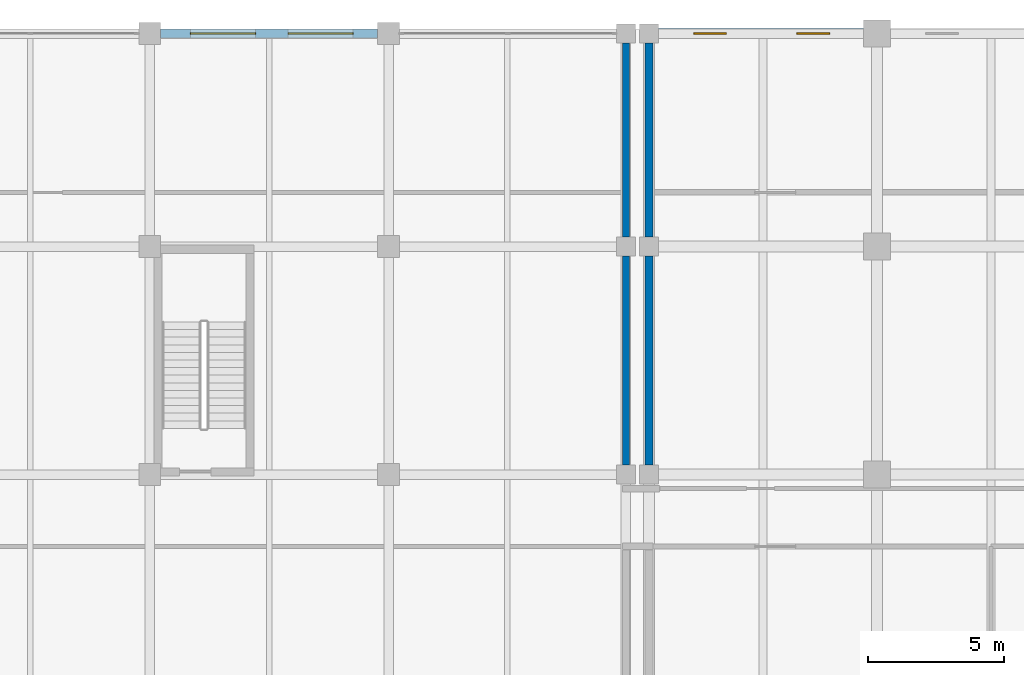
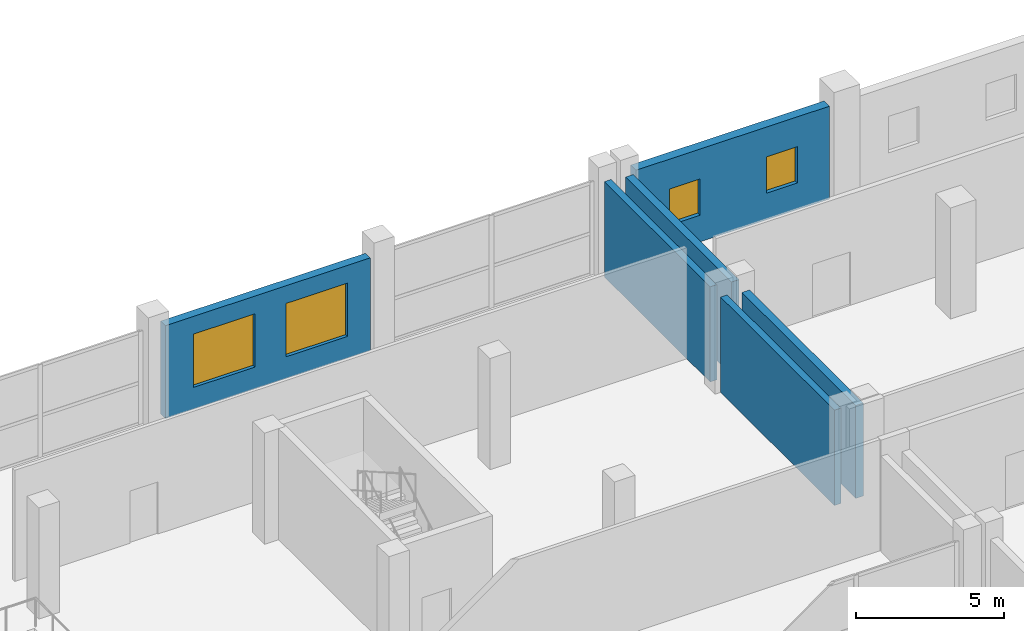
# One storey, part 22 of 31: 6 walls, 4 windows, 4 openings.
"""IFC4 building model written with IfcOpenShell, lengths in metres."""

from ifc_helpers import new_model, si_unit, direction, frame, frame_2d, origin, place, context, subcontext, project, spatial, rectangle, extrude, material, layer, layer_set, type_object, element, fill, save


model = new_model("IFC4")

# Units and contexts
model_context = context("Model", 3, precision=1e-05, world=origin(), true_north=direction((0.0, 1.0)))
body_context = subcontext(model_context, "Body", "Model", "MODEL_VIEW")
ifc_project = project(units=[si_unit("LENGTHUNIT", "METRE"), si_unit("AREAUNIT", "SQUARE_METRE"), si_unit("VOLUMEUNIT", "CUBIC_METRE"), si_unit("PLANEANGLEUNIT", "RADIAN"), si_unit("MASSUNIT", "GRAM", prefix="KILO")], contexts=[model_context])

# Site, building, storey
site_placement = place(None, origin())
site = spatial("IfcSite", under=ifc_project, at=site_placement, CompositionType="ELEMENT")
building_placement = place(site_placement, origin())
building = spatial("IfcBuilding", under=site, at=building_placement, Name="Brinegate Botanical Conservatory", CompositionType="ELEMENT")
storey_placement = place(building_placement, frame((0.0, 0.0, 5.39990234375)))
storey = spatial("IfcBuildingStorey", under=building, at=storey_placement, Name="L02", CompositionType="ELEMENT", Elevation=5.39990234375)

# Walls
ifc_material_1 = material(Name="Precast concrete C40/50 architectural panel", Category="concrete")
ifc_layer_1 = layer(ifc_material_1, 0.260009765625, Name="Precast concrete C40/50 architectural panel", Category="concrete")
ifc_layer_set_1 = layer_set([ifc_layer_1], Name="Precast concrete C40/50 architectural panel")
wall_type_1 = type_object("IfcWallType", Name="Wall_EW-260P", PredefinedType="STANDARD", material=ifc_layer_set_1)
wall_1_placement = place(storey_placement, frame((121.14990234375, 103.25, 0.0), z_axis=(0.0, 0.0, 1.0), x_axis=(0.0, -1.0, 0.0)))
element("IfcWall", 1, at=wall_1_placement, inside=storey, type_object=wall_type_1, Name="Visitor east seismic-joint closure wall L02.3", PredefinedType="STANDARD", context=body_context, shape_type="SweptSolid", body=[
    extrude(rectangle(XDim=7.699951171875, YDim=0.260009765625, at=frame_2d((3.85009765625, 0.0))), origin(), (0.0, 0.0, 1.0), 3.93017578125),
])
wall_2_placement = place(storey_placement, frame((121.14990234375, 111.10009765625, 0.0), z_axis=(0.0, 0.0, 1.0), x_axis=(0.0, -1.0, 0.0)))
element("IfcWall", 2, at=wall_2_placement, inside=storey, type_object=wall_type_1, Name="Visitor east seismic-joint closure wall L02.4", PredefinedType="STANDARD", context=body_context, shape_type="SweptSolid", body=[
    extrude(rectangle(XDim=7.150146484375, YDim=0.260009765625, at=frame_2d((3.5751953125, 0.0))), origin(), (0.0, 0.0, 1.0), 3.93017578125),
])
ifc_material_2 = material(Name="Insulated Minnan red clay brick masonry", Category="masonry")
ifc_layer_2 = layer(ifc_material_2, 0.300048828125, Name="Insulated Minnan red clay brick masonry", Category="masonry")
ifc_layer_set_2 = layer_set([ifc_layer_2], Name="Insulated Minnan red clay brick masonry")
wall_type_2 = type_object("IfcWallType", Name="Wall_EW-300B", PredefinedType="STANDARD", material=ifc_layer_set_2)
wall_3_placement = place(storey_placement, frame((122.0, 95.550048828125, 0.0), z_axis=(0.0, 0.0, 1.0), x_axis=(0.0, 1.0, 0.0)))
element("IfcWall", 3, at=wall_3_placement, inside=storey, type_object=wall_type_2, Name="Tower mid-west wall L02", PredefinedType="STANDARD", context=body_context, shape_type="SweptSolid", body=[
    extrude(rectangle(XDim=7.699951171875, YDim=0.300048828125, at=frame_2d((3.85009765625, 0.0))), origin(), (0.0, 0.0, 1.0), 3.830078125),
])
wall_4_placement = place(storey_placement, frame((122.0, 103.949951171875, 0.0), z_axis=(0.0, 0.0, 1.0), x_axis=(0.0, 1.0, 0.0)))
element("IfcWall", 4, at=wall_4_placement, inside=storey, type_object=wall_type_2, Name="Tower north-west seismic-joint wall L02", PredefinedType="STANDARD", context=body_context, shape_type="SweptSolid", body=[
    extrude(rectangle(XDim=7.150146484375, YDim=0.300048828125, at=frame_2d((3.5751953125, 0.0))), origin(), (0.0, 0.0, 1.0), 3.830078125),
])

# Wall, openings, windows
ifc_layer_3 = layer(ifc_material_2, 0.320068359375, Name="Insulated Minnan red clay brick masonry", Category="masonry")
ifc_layer_set_3 = layer_set([ifc_layer_3], Name="Insulated Minnan red clay brick masonry")
wall_type_3 = type_object("IfcWallType", Name="Wall_EW-320B", PredefinedType="STANDARD", material=ifc_layer_set_3)
wall_5_placement = place(storey_placement, frame((104.0, 111.449951171875, 0.0), z_axis=(0.0, 0.0, 1.0), x_axis=(1.0, 0.0, 0.0)))
wall_5 = element("IfcWall", 5, at=wall_5_placement, inside=storey, type_object=wall_type_3, Name="Visitor north brick bay wall L02.7", PredefinedType="STANDARD", context=body_context, shape_type="SweptSolid", body=[
    extrude(rectangle(XDim=8.0, YDim=0.320068359375, at=frame_2d((4.0, 0.0))), origin(), (0.0, 0.0, 1.0), 3.830078125),
])
opening_1_placement = place(wall_5_placement, frame((1.10009765625, 0.0, 0.89990234375)))
opening_1 = element("IfcOpeningElement", 6, at=opening_1_placement, cuts=wall_5, Name="Opening WN-09", PredefinedType="OPENING", context=body_context, shape_type="SweptSolid", body=[
    extrude(rectangle(XDim=2.39990234375, YDim=2.199951171875, at=frame_2d((1.199951171875, 1.10009765625))), frame((0.0, 0.169921875, 0.0), z_axis=(0.0, -1.0, 0.0), x_axis=(1.0, 0.0, 0.0)), (0.0, 0.0, 1.0), 0.340087890625),
])
opening_2_placement = place(wall_5_placement, frame((4.699951171875, 0.0, 0.89990234375)))
opening_2 = element("IfcOpeningElement", 7, at=opening_2_placement, cuts=wall_5, Name="Opening WN-09", PredefinedType="OPENING", context=body_context, shape_type="SweptSolid", body=[
    extrude(rectangle(XDim=2.39990234375, YDim=2.199951171875, at=frame_2d((1.199951171875, 1.10009765625))), frame((0.0, 0.169921875, 0.0), z_axis=(0.0, -1.0, 0.0), x_axis=(1.0, 0.0, 0.0)), (0.0, 0.0, 1.0), 0.340087890625),
])
ifc_material_3 = material(Name="Thermally broken aluminium-framed Low-E glass", Category="aluminium")
window_type_1 = type_object("IfcWindowType", Name="Win_WN-09", PartitioningType="TRIPLE_PANEL_VERTICAL", PredefinedType="WINDOW", material=ifc_material_3)
window_1_placement = place(opening_1_placement, origin())
window_1 = element("IfcWindow", 8, at=window_1_placement, inside=storey, type_object=window_type_1, Name="Visitor north window L02.7A", OverallHeight=2.199951171875, OverallWidth=2.39990234375, PartitioningType="TRIPLE_PANEL_VERTICAL", PredefinedType="WINDOW", context=body_context, shape_type="SweptSolid", body=[
    extrude(rectangle(XDim=2.39990234375, YDim=2.199951171875, at=frame_2d((1.199951171875, 1.10009765625))), frame((0.0, 0.030029296875, 0.0), z_axis=(0.0, -1.0, 0.0), x_axis=(1.0, 0.0, 0.0)), (0.0, 0.0, 1.0), 0.06005859375),
])
fill(opening_1, window_1)
window_2_placement = place(opening_2_placement, origin())
window_2 = element("IfcWindow", 9, at=window_2_placement, inside=storey, type_object=window_type_1, Name="Visitor north window L02.7B", OverallHeight=2.199951171875, OverallWidth=2.39990234375, PartitioningType="TRIPLE_PANEL_VERTICAL", PredefinedType="WINDOW", context=body_context, shape_type="SweptSolid", body=[
    extrude(rectangle(XDim=2.39990234375, YDim=2.199951171875, at=frame_2d((1.199951171875, 1.10009765625))), frame((0.0, 0.030029296875, 0.0), z_axis=(0.0, -1.0, 0.0), x_axis=(1.0, 0.0, 0.0)), (0.0, 0.0, 1.0), 0.06005859375),
])
fill(opening_2, window_2)

ifc_layer_4 = layer(ifc_material_2, 0.360107421875, Name="Insulated Minnan red clay brick masonry", Category="masonry")
ifc_layer_set_4 = layer_set([ifc_layer_4], Name="Insulated Minnan red clay brick masonry")
wall_type_4 = type_object("IfcWallType", Name="Wall_EW-360B", PredefinedType="STANDARD", material=ifc_layer_set_4)
wall_6_placement = place(storey_placement, frame((122.35009765625, 111.449951171875, 0.0), z_axis=(0.0, 0.0, 1.0), x_axis=(1.0, 0.0, 0.0)))
wall_6 = element("IfcWall", 10, at=wall_6_placement, inside=storey, type_object=wall_type_4, Name="Herbarium north insulated red-brick wall L02.1", PredefinedType="STANDARD", context=body_context, shape_type="SweptSolid", body=[
    extrude(rectangle(XDim=7.5498046875, YDim=0.360107421875, at=frame_2d((3.77490234375, 0.0))), origin(), (0.0, 0.0, 1.0), 3.830078125),
])
opening_3_placement = place(wall_6_placement, frame((1.300048828125, 0.0, 1.10009765625)))
opening_3 = element("IfcOpeningElement", 11, at=opening_3_placement, cuts=wall_6, Name="Opening WN-07", PredefinedType="OPENING", context=body_context, shape_type="SweptSolid", body=[
    extrude(rectangle(XDim=1.199951171875, YDim=1.5, at=frame_2d((0.60009765625, 0.75))), frame((0.0, 0.18994140625, 0.0), z_axis=(0.0, -1.0, 0.0), x_axis=(1.0, 0.0, 0.0)), (0.0, 0.0, 1.0), 0.380126953125),
])
opening_4_placement = place(wall_6_placement, frame((5.10009765625, 0.0, 1.10009765625)))
opening_4 = element("IfcOpeningElement", 12, at=opening_4_placement, cuts=wall_6, Name="Opening WN-07", PredefinedType="OPENING", context=body_context, shape_type="SweptSolid", body=[
    extrude(rectangle(XDim=1.199951171875, YDim=1.5, at=frame_2d((0.60009765625, 0.75))), frame((0.0, 0.18994140625, 0.0), z_axis=(0.0, -1.0, 0.0), x_axis=(1.0, 0.0, 0.0)), (0.0, 0.0, 1.0), 0.380126953125),
])
window_type_2 = type_object("IfcWindowType", Name="Win_WN-07", PartitioningType="SINGLE_PANEL", PredefinedType="WINDOW", material=ifc_material_3)
window_3_placement = place(opening_3_placement, origin())
window_3 = element("IfcWindow", 13, at=window_3_placement, inside=storey, type_object=window_type_2, Name="Herbarium north UV-filtered window L02.1A", OverallHeight=1.5, OverallWidth=1.199951171875, PartitioningType="SINGLE_PANEL", PredefinedType="WINDOW", context=body_context, shape_type="SweptSolid", body=[
    extrude(rectangle(XDim=1.199951171875, YDim=1.5, at=frame_2d((0.60009765625, 0.75))), frame((0.0, 0.030029296875, 0.0), z_axis=(0.0, -1.0, 0.0), x_axis=(1.0, 0.0, 0.0)), (0.0, 0.0, 1.0), 0.06005859375),
])
fill(opening_3, window_3)
window_4_placement = place(opening_4_placement, origin())
window_4 = element("IfcWindow", 14, at=window_4_placement, inside=storey, type_object=window_type_2, Name="Herbarium north UV-filtered window L02.1B", OverallHeight=1.5, OverallWidth=1.199951171875, PartitioningType="SINGLE_PANEL", PredefinedType="WINDOW", context=body_context, shape_type="SweptSolid", body=[
    extrude(rectangle(XDim=1.199951171875, YDim=1.5, at=frame_2d((0.60009765625, 0.75))), frame((0.0, 0.030029296875, 0.0), z_axis=(0.0, -1.0, 0.0), x_axis=(1.0, 0.0, 0.0)), (0.0, 0.0, 1.0), 0.06005859375),
])
fill(opening_4, window_4)

save(model, "model.ifc")
